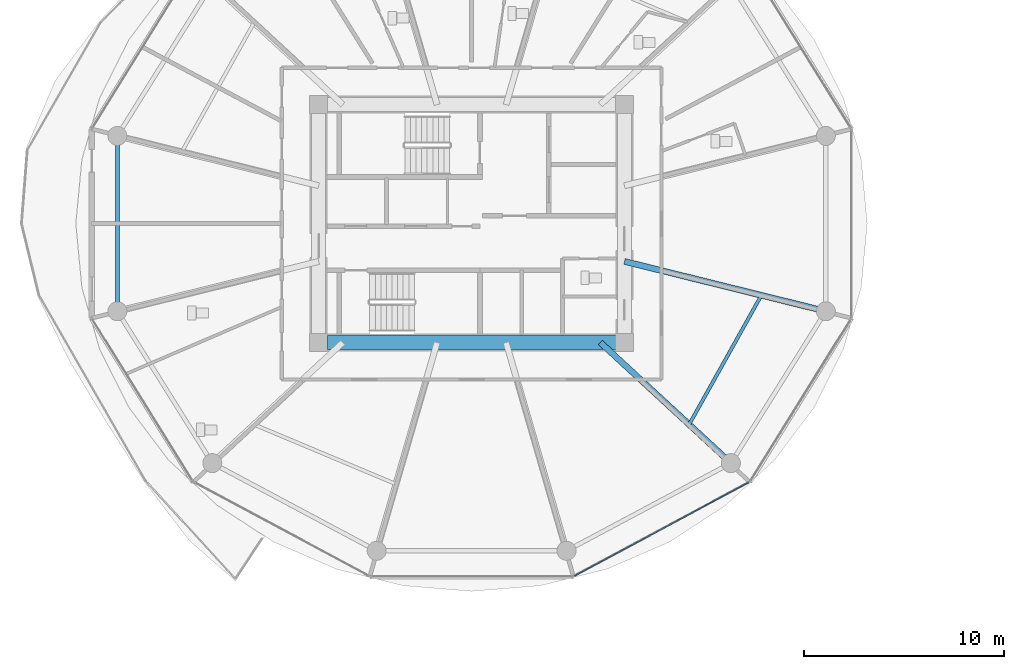
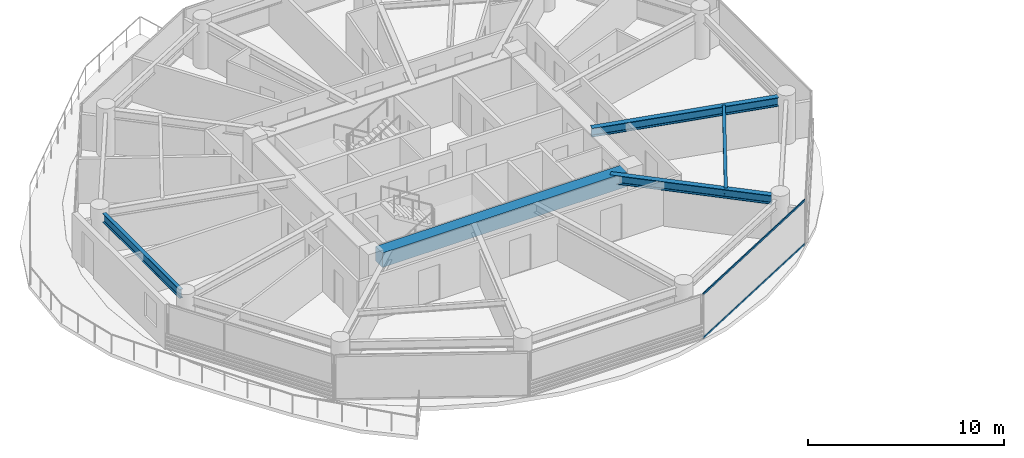
# One storey, part 3 of 27: 5 beams, 2 members, 1 element without a shape of its own.
"""IFC4 building model written with IfcOpenShell, lengths in metres."""

from ifc_helpers import new_model, si_unit, direction, frame, origin, origin_2d, place, context, subcontext, project, spatial, rectangle, i_section, extrude, source, transform, mapped, material, layer, layer_set, material_profile, profile_set, type_object, type_shapes, element, aggregate, save


model = new_model("IFC4")

# Units and contexts
model_context = context("Model", 3, precision=1e-05, world=origin(), true_north=direction((0.0, 1.0)))
body_context = subcontext(model_context, "Body", "Model", "MODEL_VIEW")
ifc_project = project(units=[si_unit("LENGTHUNIT", "METRE"), si_unit("AREAUNIT", "SQUARE_METRE"), si_unit("VOLUMEUNIT", "CUBIC_METRE"), si_unit("PLANEANGLEUNIT", "RADIAN"), si_unit("MASSUNIT", "GRAM", prefix="KILO")], contexts=[model_context])

# Site, building, storey
site_placement = place(None, origin())
site = spatial("IfcSite", under=ifc_project, at=site_placement, CompositionType="ELEMENT")
building_placement = place(site_placement, origin())
building = spatial("IfcBuilding", under=site, at=building_placement, Name="Norrkilde Senior Care Towers", CompositionType="ELEMENT")
storey_placement = place(building_placement, frame((0.0, 0.0, 36.85009765625)))
storey = spatial("IfcBuildingStorey", under=building, at=storey_placement, Name="L10", CompositionType="ELEMENT", Elevation=36.85009765625)

# Beams
ifc_material_1 = material(Name="Concrete C60/75", Category="concrete")
ifc_material_profile_1 = material_profile(ifc_material_1, rectangle(XDim=0.699951171875, YDim=0.89990234375, at=origin_2d()), Name="RC BM 700x900")
ifc_profile_set_1 = profile_set([ifc_material_profile_1], Name="Concrete C60/75")
beam_type_1 = type_object("IfcBeamType", Name="Core Coupling Girder 700x900", PredefinedType="USERDEFINED", material=ifc_profile_set_1)
shared_shape_1 = source(origin(), body_context, "Body", "SweptSolid", [
    extrude(rectangle(XDim=0.699951171875, YDim=0.89990234375, at=origin_2d()), origin(), (0.0, 0.0, 1.0), 14.43994140625),
])
type_shapes(beam_type_1, [shared_shape_1])
beam_1_placement = place(storey_placement, frame((-35.219970703125, -5.949951171875, 2.33984375), z_axis=(1.0, 0.0, 0.0), x_axis=(0.0, 1.0, 0.0)))
element("IfcBeam", 1, at=beam_1_placement, inside=storey, type_object=beam_type_1, Name="L10 Core W S Coupling Girder", ObjectType="GIRDER", PredefinedType="USERDEFINED", context=body_context, shape_type="MappedRepresentation", body=[
    mapped(shared_shape_1, transform((0.0, 0.0, 0.0), x_axis=(1.0, 0.0, 0.0), y_axis=(0.0, 1.0, 0.0), z_axis=(0.0, 0.0, 1.0), scale=1.0)),
])
ifc_material_2 = material(Name="Steel S355", Category="steel")
ifc_material_profile_2 = material_profile(ifc_material_2, i_section(OverallWidth=0.300048828125, OverallDepth=0.550048828125, WebThickness=0.014892578125, FlangeThickness=0.029052734375, FilletRadius=0.027099609375, at=origin_2d()), Name="HEB 550")
ifc_profile_set_2 = profile_set([ifc_material_profile_2], Name="Steel S355")
beam_type_2 = type_object("IfcBeamType", Name="Radial Floor Beam Z1 HEB550", PredefinedType="BEAM", material=ifc_profile_set_2)
shared_shape_2 = source(origin(), body_context, "Body", "SweptSolid", [
    extrude(i_section(OverallWidth=0.300048828125, OverallDepth=0.550048828125, WebThickness=0.014892578125, FlangeThickness=0.029052734375, FilletRadius=0.027099609375, at=origin_2d()), origin(), (0.0, 0.0, 1.0), 9.94384765625),
])
beam_2_placement = place(storey_placement, frame((-20.35009765625, -1.893310546875, 2.514892578125), z_axis=(0.970707425182, -0.240264634718, 0.0), x_axis=(0.240264634718, 0.970707425182, 0.0)))
element("IfcBeam", 2, at=beam_2_placement, inside=storey, type_object=beam_type_2, Name="L10 Drum W Radial Floor Beam 12", PredefinedType="BEAM", context=body_context, shape_type="MappedRepresentation", body=[
    mapped(shared_shape_2, transform((0.0, 0.0, 0.0), x_axis=(1.0, 0.0, 0.0), y_axis=(0.0, 1.0, 0.0), z_axis=(0.0, 0.0, 1.0), scale=1.0)),
])
shared_shape_3 = source(origin(), body_context, "Body", "SweptSolid", [
    extrude(i_section(OverallWidth=0.300048828125, OverallDepth=0.550048828125, WebThickness=0.014892578125, FlangeThickness=0.029052734375, FilletRadius=0.027099609375, at=origin_2d()), origin(), (0.0, 0.0, 1.0), 8.459716796875),
])
type_shapes(beam_type_2, [shared_shape_2, shared_shape_3])
beam_3_placement = place(storey_placement, frame((-21.55859375, -5.949951171875, 2.514892578125), z_axis=(0.734573269108, -0.678529374686, 0.0), x_axis=(0.678529374686, 0.734573269108, 0.0)))
element("IfcBeam", 3, at=beam_3_placement, inside=storey, type_object=beam_type_2, Name="L10 Drum W Radial Floor Beam 11", PredefinedType="BEAM", context=body_context, shape_type="MappedRepresentation", body=[
    mapped(shared_shape_3, transform((0.0, 0.0, 0.0), x_axis=(1.0, 0.0, 0.0), y_axis=(0.0, 1.0, 0.0), z_axis=(0.0, 0.0, 1.0), scale=1.0)),
])
ifc_material_profile_3 = material_profile(ifc_material_2, i_section(OverallWidth=0.2099609375, OverallDepth=0.550048828125, WebThickness=0.010986328125, FlangeThickness=0.01708984375, FilletRadius=0.02392578125, at=origin_2d()), Name="IPE 550")
ifc_profile_set_3 = profile_set([ifc_material_profile_3], Name="Steel S355")
beam_type_3 = type_object("IfcBeamType", Name="Perimeter Ring Spandrel Z1 IPE550", PredefinedType="SPANDREL", material=ifc_profile_set_3)
shared_shape_4 = source(origin(), body_context, "Body", "SweptSolid", [
    extrude(i_section(OverallWidth=0.2099609375, OverallDepth=0.550048828125, WebThickness=0.010986328125, FlangeThickness=0.01708984375, FilletRadius=0.02392578125, at=origin_2d()), origin(), (0.0, 0.0, 1.0), 7.90380859375),
])
type_shapes(beam_type_3, [shared_shape_4])
beam_4_placement = place(storey_placement, frame((-45.724853515625, 3.951904296875, 2.514892578125), z_axis=(0.0, -1.0, 0.0), x_axis=(1.0, 0.0, 0.0)))
element("IfcBeam", 4, at=beam_4_placement, inside=storey, type_object=beam_type_3, Name="L10 Drum W Perimeter Spandrel 06", PredefinedType="SPANDREL", context=body_context, shape_type="MappedRepresentation", body=[
    mapped(shared_shape_4, transform((0.0, 0.0, 0.0), x_axis=(1.0, 0.0, 0.0), y_axis=(0.0, 1.0, 0.0), z_axis=(0.0, 0.0, 1.0), scale=1.0)),
])
ifc_material_profile_4 = material_profile(ifc_material_2, i_section(OverallWidth=0.169921875, OverallDepth=0.360107421875, WebThickness=0.008056640625, FlangeThickness=0.0126953125, FilletRadius=0.01806640625, at=origin_2d()), Name="IPE 360")
ifc_profile_set_4 = profile_set([ifc_material_profile_4], Name="Steel S355")
beam_type_4 = type_object("IfcBeamType", Name="Secondary Floor Joist IPE360", PredefinedType="JOIST", material=ifc_profile_set_4)
shared_shape_5 = source(origin(), body_context, "Body", "SweptSolid", [
    extrude(i_section(OverallWidth=0.169921875, OverallDepth=0.360107421875, WebThickness=0.008056640625, FlangeThickness=0.0126953125, FilletRadius=0.01806640625, at=origin_2d()), origin(), (0.0, 0.0, 1.0), 7.40771484375),
])
type_shapes(beam_type_4, [shared_shape_5])
beam_5_placement = place(storey_placement, frame((-17.115478515625, -10.05419921875, 2.60986328125), z_axis=(0.488167754092, 0.872749817453, 0.0), x_axis=(-0.872749817453, 0.488167754092, 0.0)))
element("IfcBeam", 5, at=beam_5_placement, inside=storey, type_object=beam_type_4, Name="L10 Drum W Secondary Floor Joist 4", PredefinedType="JOIST", context=body_context, shape_type="MappedRepresentation", body=[
    mapped(shared_shape_5, transform((0.0, 0.0, 0.0), x_axis=(1.0, 0.0, 0.0), y_axis=(0.0, 1.0, 0.0), z_axis=(0.0, 0.0, 1.0), scale=1.0)),
])

# Curtain wall, members
ifc_material_3 = material(Name="Triple Low-E Insulated Glazing", Category="glass")
ifc_layer = layer(ifc_material_3, 0.199951171875)
ifc_layer_set = layer_set([ifc_layer], Name="Triple Low-E Insulated Glazing")
curtain_wall_type = type_object("IfcCurtainWallType", Name="CW2 Zone 1 Memory Care Curtain Wall", PredefinedType="NOTDEFINED", material=ifc_layer_set)
curtain_wall_placement = place(storey_placement, origin())
curtain_wall = element("IfcCurtainWall", 6, at=curtain_wall_placement, inside=storey, type_object=curtain_wall_type, Name="L10 Drum W Curtain Wall 09", PredefinedType="NOTDEFINED")
ifc_material_4 = material(Name="Anodised Aluminium", Category="aluminium")
ifc_material_profile_5 = material_profile(ifc_material_4, rectangle(XDim=0.06005859375, YDim=0.1201171875, at=origin_2d()), Name="ALU TRAN 60x120")
ifc_profile_set_5 = profile_set([ifc_material_profile_5], Name="Anodised Aluminium")
member_type = type_object("IfcMemberType", Name="Curtain Wall Transom Typical 60x120", PredefinedType="USERDEFINED", material=ifc_profile_set_5)
shared_shape_6 = source(origin(), body_context, "Body", "SweptSolid", [
    extrude(rectangle(XDim=0.06005859375, YDim=0.1201171875, at=origin_2d()), origin(), (0.0, 0.0, 1.0), 9.880859375),
])
type_shapes(member_type, [shared_shape_6])
member_1_placement = place(storey_placement, frame((-14.141357421875, -12.95654296875, 0.02978515625), z_axis=(-0.881267204043, -0.47261836092, 0.0), x_axis=(0.47261836092, -0.881267204043, 0.0)))
member_1 = element("IfcMember", 7, at=member_1_placement, type_object=member_type, Name="CW-2 transom 1.1", ObjectType="TRANSOM", PredefinedType="USERDEFINED", context=body_context, shape_type="MappedRepresentation", body=[
    mapped(shared_shape_6, transform((0.0, 0.0, 0.0), x_axis=(1.0, 0.0, 0.0), y_axis=(0.0, 1.0, 0.0), z_axis=(0.0, 0.0, 1.0), scale=1.0)),
])
member_2_placement = place(storey_placement, frame((-14.141357421875, -12.95654296875, 2.760009765625), z_axis=(-0.881267204043, -0.47261836092, 0.0), x_axis=(0.47261836092, -0.881267204043, 0.0)))
member_2 = element("IfcMember", 8, at=member_2_placement, type_object=member_type, Name="CW-2 transom 1.2", ObjectType="TRANSOM", PredefinedType="USERDEFINED", context=body_context, shape_type="MappedRepresentation", body=[
    mapped(shared_shape_6, transform((0.0, 0.0, 0.0), x_axis=(1.0, 0.0, 0.0), y_axis=(0.0, 1.0, 0.0), z_axis=(0.0, 0.0, 1.0), scale=1.0)),
])
aggregate(curtain_wall, [member_1, member_2])

save(model, "model.ifc")
